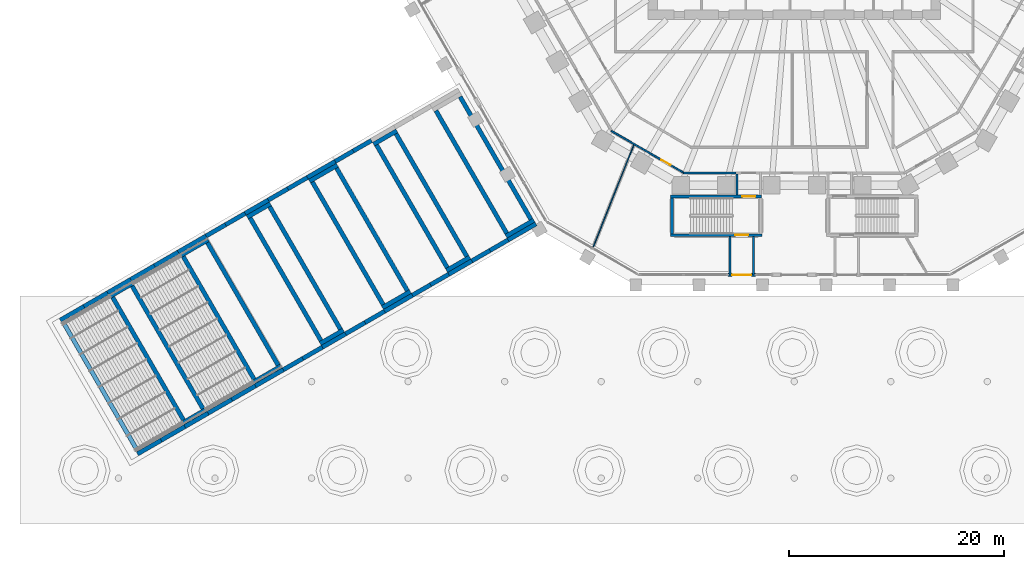
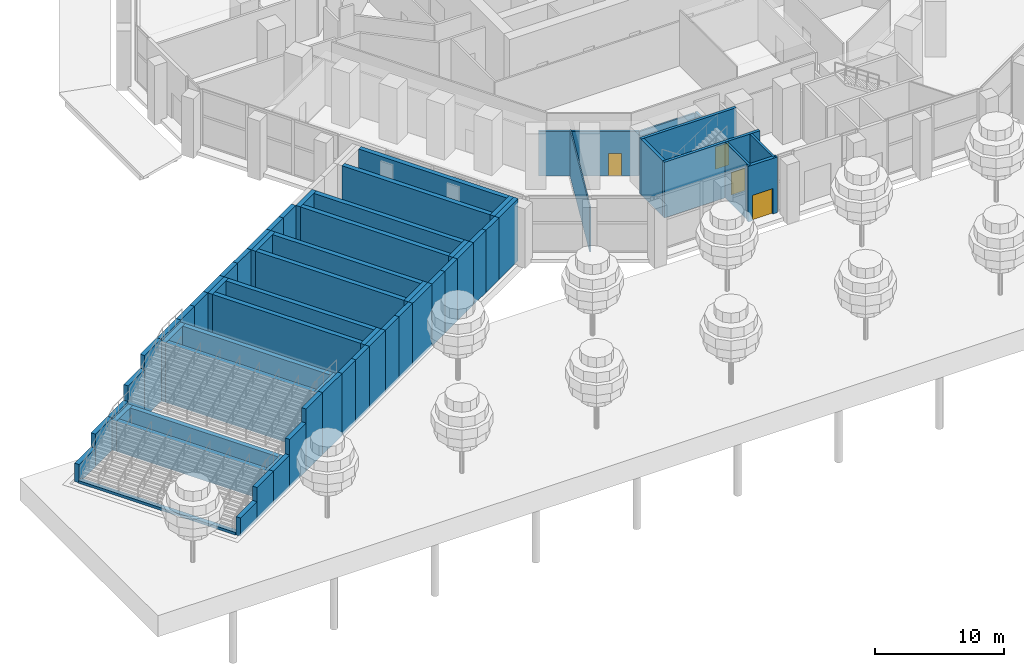
# One storey, part 16 of 44: 66 walls, 4 doors, 4 openings.
"""IFC4 building model written with IfcOpenShell, lengths in metres."""

from ifc_helpers import new_model, si_unit, direction, frame, frame_2d, origin, place, context, subcontext, project, spatial, rectangle, extrude, material, layer, layer_set, type_object, element, fill, save


model = new_model("IFC4")

# Units and contexts
model_context = context("Model", 3, precision=1e-05, world=origin(), true_north=direction((0.0, 1.0)))
body_context = subcontext(model_context, "Body", "Model", "MODEL_VIEW")
ifc_project = project(units=[si_unit("LENGTHUNIT", "METRE"), si_unit("AREAUNIT", "SQUARE_METRE"), si_unit("VOLUMEUNIT", "CUBIC_METRE"), si_unit("PLANEANGLEUNIT", "RADIAN"), si_unit("MASSUNIT", "GRAM", prefix="KILO")], contexts=[model_context])

# Site, building, storey
site_placement = place(None, origin())
site = spatial("IfcSite", under=ifc_project, at=site_placement, CompositionType="ELEMENT")
building_placement = place(site_placement, origin())
building = spatial("IfcBuilding", under=site, at=building_placement, Name="Frailejon Research Tower", CompositionType="ELEMENT")
storey_placement = place(building_placement, origin())
storey = spatial("IfcBuildingStorey", under=building, at=storey_placement, Name="L00", CompositionType="ELEMENT", Elevation=0.0)

# Wall, opening, door
ifc_material_1 = material(Name="Gypsum board and masonry partition", Category="masonry")
ifc_layer_1 = layer(ifc_material_1, 0.14990234375)
ifc_layer_set_1 = layer_set([ifc_layer_1], Name="Corridor wall EI 60, gypsum on steel studs 150")
wall_type_1 = type_object("IfcWallType", Name="Corridor wall EI 60, gypsum on steel studs 150", PredefinedType="PARTITIONING", material=ifc_layer_set_1)
wall_1_placement = place(storey_placement, frame((-17.055908203125, -21.633056640625, 0.0), z_axis=(0.0, 0.0, 1.0), x_axis=(0.866023143435, -0.50000391502, 0.0)))
wall_1 = element("IfcWall", 1, at=wall_1_placement, inside=storey, type_object=wall_type_1, Name="T:IW:L00:029", PredefinedType="PARTITIONING", context=body_context, shape_type="SweptSolid", body=[
    extrude(rectangle(XDim=7.7587890625, YDim=0.14990234375, at=frame_2d((3.87939453125, 0.0))), origin(), (0.0, 0.0, 1.0), 4.199951171875),
])
opening_1_placement = place(wall_1_placement, frame((5.3798828125, 0.0, 0.0)))
opening_1 = element("IfcOpeningElement", 2, at=opening_1_placement, cuts=wall_1, Name="Opening D1014", PredefinedType="OPENING", context=body_context, shape_type="SweptSolid", body=[
    extrude(rectangle(XDim=1.0, YDim=2.10009765625, at=frame_2d((0.5, 1.050048828125))), frame((0.0, 0.0849609375, 0.0), z_axis=(0.0, -1.0, 0.0), x_axis=(1.0, 0.0, 0.0)), (0.0, 0.0, 1.0), 0.169921875),
])
ifc_material_2 = material(Name="Timber door leaf", Category="wood")
door_type_1 = type_object("IfcDoorType", Name="Door single leaf, timber, steel frame 1000", OperationType="NOTDEFINED", PredefinedType="DOOR", material=ifc_material_2)
door_1_placement = place(opening_1_placement, origin())
door_1 = element("IfcDoor", 3, at=door_1_placement, inside=storey, type_object=door_type_1, Name="D1014", OperationType="SINGLE_SWING_RIGHT", OverallHeight=2.10009765625, OverallWidth=1.0, PredefinedType="DOOR", context=body_context, shape_type="SweptSolid", body=[
    extrude(rectangle(XDim=1.0, YDim=2.10009765625, at=frame_2d((0.5, 1.050048828125))), frame((0.0, 0.02490234375, 0.0), z_axis=(0.0, -1.0, 0.0), x_axis=(1.0, 0.0, 0.0)), (0.0, 0.0, 1.0), 0.050048828125),
])
fill(opening_1, door_1)

# Walls
wall_2_placement = place(storey_placement, frame((-10.3466796875, -25.550048828125, 0.0), z_axis=(0.0, 0.0, 1.0), x_axis=(1.0, 0.0, 0.0)))
element("IfcWall", 4, at=wall_2_placement, inside=storey, type_object=wall_type_1, Name="T:IW:L00:033", PredefinedType="PARTITIONING", context=body_context, shape_type="SweptSolid", body=[
    extrude(rectangle(XDim=4.914794921875, YDim=0.14990234375, at=frame_2d((2.45751953125, 0.0))), origin(), (0.0, 0.0, 1.0), 4.199951171875),
])
ifc_material_3 = material(Name="Gypsum board and masonry partition", Category="masonry")
ifc_layer_2 = layer(ifc_material_3, 0.199951171875)
ifc_layer_set_2 = layer_set([ifc_layer_2], Name="Enclosure wall EI 120, blockwork 200")
wall_type_2 = type_object("IfcWallType", Name="Enclosure wall EI 120, blockwork 200", PredefinedType="PARTITIONING", material=ifc_layer_set_2)
wall_3_placement = place(storey_placement, frame((-5.33203125, -27.625, 0.0), z_axis=(0.0, 0.0, 1.0), x_axis=(0.0, 1.0, 0.0)))
element("IfcWall", 5, at=wall_3_placement, inside=storey, type_object=wall_type_2, Name="T:IW:L00:050", PredefinedType="PARTITIONING", context=body_context, shape_type="SweptSolid", body=[
    extrude(rectangle(XDim=1.97509765625, YDim=0.199951171875, at=frame_2d((0.987548828125, 0.0))), origin(), (0.0, 0.0, 1.0), 4.35009765625),
])
for number, where, z_axis, x_axis, name in (
    (6, (-5.9970703125, -35.050048828125, 0.0), (0.0, 0.0, 1.0), (0.0, 1.0, 0.0), "T:IW:L00:073"),
    (7, (-3.797119140625, -35.050048828125, 0.0), (0.0, 0.0, 1.0), (0.0, 1.0, 0.0), "T:IW:L00:085"),
):
    element("IfcWall", number, at=place(storey_placement, frame(where, z_axis=z_axis, x_axis=x_axis)), inside=storey, type_object=wall_type_2, Name=name, PredefinedType="PARTITIONING", context=body_context, shape_type="SweptSolid", body=[
        extrude(rectangle(XDim=3.574951171875, YDim=0.199951171875, at=frame_2d((1.78759765625, 0.0))), origin(), (0.0, 0.0, 1.0), 5.25),
    ])
ifc_material_4 = material(Name="Gypsum board and masonry partition", Category="masonry")
ifc_layer_3 = layer(ifc_material_4, 0.10009765625)
ifc_layer_set_3 = layer_set([ifc_layer_3], Name="Partition, gypsum on steel studs 100")
wall_type_3 = type_object("IfcWallType", Name="Partition, gypsum on steel studs 100", PredefinedType="PARTITIONING", material=ifc_layer_set_3)
wall_4_placement = place(storey_placement, frame((-18.789794921875, -32.588623046875, 0.0), z_axis=(0.0, 0.0, 1.0), x_axis=(0.368760134438, 0.929524589911, 0.0)))
element("IfcWall", 8, at=wall_4_placement, inside=storey, type_object=wall_type_3, Name="T:IW:L00:097", PredefinedType="PARTITIONING", context=body_context, shape_type="SweptSolid", body=[
    extrude(rectangle(XDim=10.39111328125, YDim=0.10009765625, at=frame_2d((5.195556640625, 0.0))), origin(), (0.0, 0.0, 1.0), 4.35009765625),
])

# Wall, opening, door
ifc_material_5 = material(Name="Concrete C40/50 precast exit pier", Category="concrete")
ifc_layer_4 = layer(ifc_material_5, 0.300048828125)
ifc_layer_set_4 = layer_set([ifc_layer_4], Name="Podium exit wall 300")
wall_type_4 = type_object("IfcWallType", Name="Podium exit wall 300", PredefinedType="SOLIDWALL", material=ifc_layer_set_4)
wall_5_placement = place(storey_placement, frame((-6.197021484375, -35.050048828125, 0.0), z_axis=(0.0, 0.0, 1.0), x_axis=(1.0, 0.0, 0.0)))
wall_5 = element("IfcWall", 9, at=wall_5_placement, inside=storey, type_object=wall_type_4, Name="Exit pier L00", PredefinedType="SOLIDWALL", context=body_context, shape_type="SweptSolid", body=[
    extrude(rectangle(XDim=2.60009765625, YDim=0.300048828125, at=frame_2d((1.300048828125, 0.0))), origin(), (0.0, 0.0, 1.0), 5.25),
])
opening_2_placement = place(wall_5_placement, frame((2.199951171875, 0.0, 0.0), z_axis=(0.0, 0.0, 1.0), x_axis=(-1.0, 0.0, 0.0)))
opening_2 = element("IfcOpeningElement", 10, at=opening_2_placement, cuts=wall_5, Name="Opening FE-6", PredefinedType="OPENING", context=body_context, shape_type="SweptSolid", body=[
    extrude(rectangle(XDim=1.800048828125, YDim=2.39990234375, at=frame_2d((0.89990234375, 1.199951171875))), frame((0.0, 0.159912109375, 0.0), z_axis=(0.0, -1.0, 0.0), x_axis=(1.0, 0.0, 0.0)), (0.0, 0.0, 1.0), 0.320068359375),
])
ifc_material_6 = material(Name="Aluminium framed glazed door leaf", Category="aluminium")
door_type_2 = type_object("IfcDoorType", Name="Final exit door 1800x2400", OperationType="DOUBLE_DOOR_SINGLE_SWING", PredefinedType="DOOR", material=ifc_material_6)
door_2_placement = place(opening_2_placement, origin())
door_2 = element("IfcDoor", 11, at=door_2_placement, inside=storey, type_object=door_type_2, Name="Door FE-6", OperationType="DOUBLE_DOOR_SINGLE_SWING", OverallHeight=2.39990234375, OverallWidth=1.800048828125, PredefinedType="DOOR", context=body_context, shape_type="SweptSolid", body=[
    extrude(rectangle(XDim=1.800048828125, YDim=2.39990234375, at=frame_2d((0.89990234375, 1.199951171875))), frame((0.0, 0.02490234375, 0.0), z_axis=(0.0, -1.0, 0.0), x_axis=(1.0, 0.0, 0.0)), (0.0, 0.0, 1.0), 0.050048828125),
])
fill(opening_2, door_2)

# Wall
ifc_material_7 = material(Name="Concrete C50/60", Category="concrete")
ifc_layer_5 = layer(ifc_material_7, 0.25)
ifc_layer_set_5 = layer_set([ifc_layer_5], Name="Stair enclosure wall EI 120, Concrete C50/60 250")
wall_type_5 = type_object("IfcWallType", Name="Stair enclosure wall EI 120, Concrete C50/60 250", PredefinedType="SOLIDWALL", material=ifc_layer_set_5)
wall_6_placement = place(storey_placement, frame((-11.40185546875, -31.22509765625, 0.0), z_axis=(0.0, 0.0, 1.0), x_axis=(0.0, 1.0, 0.0)))
element("IfcWall", 12, at=wall_6_placement, inside=storey, type_object=wall_type_5, Name="T:IW:L00:102", PredefinedType="SOLIDWALL", context=body_context, shape_type="SweptSolid", body=[
    extrude(rectangle(XDim=3.35009765625, YDim=0.25, at=frame_2d((1.675048828125, 0.0))), origin(), (0.0, 0.0, 1.0), 5.25),
])

# Wall, opening, door
wall_7_placement = place(storey_placement, frame((-11.52685546875, -27.75, 0.0), z_axis=(0.0, 0.0, 1.0), x_axis=(1.0, 0.0, 0.0)))
wall_7 = element("IfcWall", 13, at=wall_7_placement, inside=storey, type_object=wall_type_5, Name="T:IW:L00:114", PredefinedType="SOLIDWALL", context=body_context, shape_type="SweptSolid", body=[
    extrude(rectangle(XDim=8.494873046875, YDim=0.25, at=frame_2d((4.24755859375, 0.0))), origin(), (0.0, 0.0, 1.0), 5.25),
])
opening_3_placement = place(wall_7_placement, frame((7.89501953125, 0.0, 0.0), z_axis=(0.0, 0.0, 1.0), x_axis=(-1.0, 0.0, 0.0)))
opening_3 = element("IfcOpeningElement", 14, at=opening_3_placement, cuts=wall_7, Name="Opening PSD08", PredefinedType="OPENING", context=body_context, shape_type="SweptSolid", body=[
    extrude(rectangle(XDim=1.199951171875, YDim=2.10009765625, at=frame_2d((0.60009765625, 1.050048828125))), frame((0.0, 0.135009765625, 0.0), z_axis=(0.0, -1.0, 0.0), x_axis=(1.0, 0.0, 0.0)), (0.0, 0.0, 1.0), 0.27001953125),
])
ifc_material_8 = material(Name="Steel door leaf", Category="steel")
door_type_3 = type_object("IfcDoorType", Name="Door exit passage, steel, fire rated 1200", OperationType="NOTDEFINED", PredefinedType="DOOR", material=ifc_material_8)
door_3_placement = place(opening_3_placement, origin())
door_3 = element("IfcDoor", 15, at=door_3_placement, inside=storey, type_object=door_type_3, Name="PSD08", OperationType="SINGLE_SWING_LEFT", OverallHeight=2.10009765625, OverallWidth=1.199951171875, PredefinedType="DOOR", context=body_context, shape_type="SweptSolid", body=[
    extrude(rectangle(XDim=1.199951171875, YDim=2.10009765625, at=frame_2d((0.60009765625, 1.050048828125))), frame((0.0, 0.02490234375, 0.0), z_axis=(0.0, -1.0, 0.0), x_axis=(1.0, 0.0, 0.0)), (0.0, 0.0, 1.0), 0.050048828125),
])
fill(opening_3, door_3)

wall_8_placement = place(storey_placement, frame((-11.52685546875, -31.35009765625, 0.0), z_axis=(0.0, 0.0, 1.0), x_axis=(1.0, 0.0, 0.0)))
wall_8 = element("IfcWall", 16, at=wall_8_placement, inside=storey, type_object=wall_type_5, Name="T:IW:L00:116", PredefinedType="SOLIDWALL", context=body_context, shape_type="SweptSolid", body=[
    extrude(rectangle(XDim=8.519775390625, YDim=0.25, at=frame_2d((4.259765625, 0.0))), origin(), (0.0, 0.0, 1.0), 5.25),
])
opening_4_placement = place(wall_8_placement, frame((7.22998046875, 0.0, 0.0), z_axis=(0.0, 0.0, 1.0), x_axis=(-1.0, 0.0, 0.0)))
opening_4 = element("IfcOpeningElement", 17, at=opening_4_placement, cuts=wall_8, Name="Opening PSD09", PredefinedType="OPENING", context=body_context, shape_type="SweptSolid", body=[
    extrude(rectangle(XDim=1.199951171875, YDim=2.10009765625, at=frame_2d((0.60009765625, 1.050048828125))), frame((0.0, 0.135009765625, 0.0), z_axis=(0.0, -1.0, 0.0), x_axis=(1.0, 0.0, 0.0)), (0.0, 0.0, 1.0), 0.27001953125),
])
door_4_placement = place(opening_4_placement, origin())
door_4 = element("IfcDoor", 18, at=door_4_placement, inside=storey, type_object=door_type_3, Name="PSD09", OperationType="SINGLE_SWING_RIGHT", OverallHeight=2.10009765625, OverallWidth=1.199951171875, PredefinedType="DOOR", context=body_context, shape_type="SweptSolid", body=[
    extrude(rectangle(XDim=1.199951171875, YDim=2.10009765625, at=frame_2d((0.60009765625, 1.050048828125))), frame((0.0, 0.02490234375, 0.0), z_axis=(0.0, -1.0, 0.0), x_axis=(1.0, 0.0, 0.0)), (0.0, 0.0, 1.0), 0.050048828125),
])
fill(opening_4, door_4)

# Walls
ifc_material_9 = material(Name="Concrete C35/45", Category="concrete")
ifc_layer_6 = layer(ifc_material_9, 0.39990234375)
ifc_layer_set_6 = layer_set([ifc_layer_6], Name="Stair foot wall 400")
wall_type_6 = type_object("IfcWallType", Name="Stair foot wall 400", PredefinedType="SOLIDWALL", material=ifc_layer_set_6)
wall_9_placement = place(storey_placement, frame((-68.199462890625, -39.375, -0.25), z_axis=(0.0, 0.0, 1.0), x_axis=(0.499995173006, -0.866028190633, 0.0)))
element("IfcWall", 19, at=wall_9_placement, inside=storey, type_object=wall_type_6, Name="Broad stair W foot wall", PredefinedType="SOLIDWALL", context=body_context, shape_type="SweptSolid", body=[
    extrude(rectangle(XDim=14.000244140625, YDim=0.39990234375, at=frame_2d((7.0, 0.0))), origin(), (0.0, 0.0, 1.0), 0.25),
])
ifc_material_10 = material(Name="Concrete C35/45", Category="concrete")
ifc_layer_7 = layer(ifc_material_10, 0.39990234375)
ifc_layer_set_7 = layer_set([ifc_layer_7], Name="Stair plinth wall 400")
wall_type_7 = type_object("IfcWallType", Name="Stair plinth wall 400", PredefinedType="SOLIDWALL", material=ifc_layer_set_7)
wall_10_placement = place(storey_placement, frame((-24.27685546875, -29.951171875, -0.25), z_axis=(0.0, 0.0, 1.0), x_axis=(-0.866031096941, -0.499990139034, 0.0)))
element("IfcWall", 20, at=wall_10_placement, inside=storey, type_object=wall_type_7, Name="Broad stair W plinth", PredefinedType="SOLIDWALL", context=body_context, shape_type="SweptSolid", body=[
    extrude(rectangle(XDim=3.0, YDim=0.39990234375, at=frame_2d((1.5, 0.0))), origin(), (0.0, 0.0, 1.0), 5.85009765625),
])
for number, where, z_axis, x_axis, name in (
    (21, (-31.150146484375, -18.4462890625, -0.25), (0.0, 0.0, 1.0), (0.500002094529, -0.866024194504, 0.0), "Broad stair W plinth"),
    (22, (-33.40185546875, -19.746337890625, -0.25), (0.0, 0.0, 1.0), (0.500002094529, -0.866024194504, 0.0), "Broad stair W plinth"),
):
    element("IfcWall", number, at=place(storey_placement, frame(where, z_axis=z_axis, x_axis=x_axis)), inside=storey, type_object=wall_type_7, Name=name, PredefinedType="SOLIDWALL", context=body_context, shape_type="SweptSolid", body=[
        extrude(rectangle(XDim=13.2001953125, YDim=0.39990234375, at=frame_2d((6.60009765625, 0.0))), origin(), (0.0, 0.0, 1.0), 5.85009765625),
    ])
for number, where, z_axis, x_axis, name in (
    (23, (-37.052490234375, -21.623291015625, -0.25), (0.0, 0.0, 1.0), (-0.866022959057, -0.500004234368, 0.0), "Broad stair W plinth"),
    (24, (-30.25244140625, -33.401123046875, -0.25), (0.0, 0.0, 1.0), (-0.866022959057, -0.500004234368, 0.0), "Broad stair W plinth"),
):
    element("IfcWall", number, at=place(storey_placement, frame(where, z_axis=z_axis, x_axis=x_axis)), inside=storey, type_object=wall_type_7, Name=name, PredefinedType="SOLIDWALL", context=body_context, shape_type="SweptSolid", body=[
        extrude(rectangle(XDim=2.5, YDim=0.39990234375, at=frame_2d((1.25, 0.0))), origin(), (0.0, 0.0, 1.0), 5.85009765625),
    ])
wall_11_placement = place(storey_placement, frame((-37.125732421875, -21.896484375, -0.25), z_axis=(0.0, 0.0, 1.0), x_axis=(0.500010103361, -0.866019570528, 0.0)))
element("IfcWall", 25, at=wall_11_placement, inside=storey, type_object=wall_type_7, Name="Broad stair W plinth", PredefinedType="SOLIDWALL", context=body_context, shape_type="SweptSolid", body=[
    extrude(rectangle(XDim=13.199951171875, YDim=0.39990234375, at=frame_2d((6.60009765625, 0.0))), origin(), (0.0, 0.0, 1.0), 5.85009765625),
])
wall_12_placement = place(storey_placement, frame((-38.9443359375, -22.9462890625, -0.25), z_axis=(0.0, 0.0, 1.0), x_axis=(0.500002094529, -0.866024194504, 0.0)))
element("IfcWall", 26, at=wall_12_placement, inside=storey, type_object=wall_type_7, Name="Broad stair W plinth", PredefinedType="SOLIDWALL", context=body_context, shape_type="SweptSolid", body=[
    extrude(rectangle(XDim=13.2001953125, YDim=0.39990234375, at=frame_2d((6.60009765625, 0.0))), origin(), (0.0, 0.0, 1.0), 5.85009765625),
])
for number, where, z_axis, x_axis, name in (
    (27, (-42.59521484375, -24.8232421875, -0.25), (0.0, 0.0, 1.0), (-0.866010750942, -0.50002537861, 0.0), "Broad stair W plinth"),
    (28, (-35.795166015625, -36.601318359375, -0.25), (0.0, 0.0, 1.0), (-0.866010750942, -0.50002537861, 0.0), "Broad stair W plinth"),
):
    element("IfcWall", number, at=place(storey_placement, frame(where, z_axis=z_axis, x_axis=x_axis)), inside=storey, type_object=wall_type_7, Name=name, PredefinedType="SOLIDWALL", context=body_context, shape_type="SweptSolid", body=[
        extrude(rectangle(XDim=2.999755859375, YDim=0.39990234375, at=frame_2d((1.5, 0.0))), origin(), (0.0, 0.0, 1.0), 5.85009765625),
    ])
wall_13_placement = place(storey_placement, frame((-42.668212890625, -25.096435546875, -0.25), z_axis=(0.0, 0.0, 1.0), x_axis=(0.499996231654, -0.866027579429, 0.0)))
element("IfcWall", 29, at=wall_13_placement, inside=storey, type_object=wall_type_7, Name="Broad stair W plinth", PredefinedType="SOLIDWALL", context=body_context, shape_type="SweptSolid", body=[
    extrude(rectangle(XDim=13.19970703125, YDim=0.39990234375, at=frame_2d((6.599853515625, 0.0))), origin(), (0.0, 0.0, 1.0), 5.85009765625),
])
wall_14_placement = place(storey_placement, frame((-44.919921875, -26.396484375, -0.25), z_axis=(0.0, 0.0, 1.0), x_axis=(0.500010103361, -0.866019570528, 0.0)))
element("IfcWall", 30, at=wall_14_placement, inside=storey, type_object=wall_type_7, Name="Broad stair W plinth", PredefinedType="SOLIDWALL", context=body_context, shape_type="SweptSolid", body=[
    extrude(rectangle(XDim=13.199951171875, YDim=0.39990234375, at=frame_2d((6.60009765625, 0.0))), origin(), (0.0, 0.0, 1.0), 5.85009765625),
])
wall_15_placement = place(storey_placement, frame((-48.830322265625, -28.423095703125, -0.25), z_axis=(0.0, 0.0, 1.0), x_axis=(-0.866047370643, -0.499961950354, 0.0)))
element("IfcWall", 31, at=wall_15_placement, inside=storey, type_object=wall_type_7, Name="Broad stair W plinth", PredefinedType="SOLIDWALL", context=body_context, shape_type="SweptSolid", body=[
    extrude(rectangle(XDim=2.500244140625, YDim=0.39990234375, at=frame_2d((1.25, 0.0))), origin(), (0.0, 0.0, 1.0), 5.85009765625),
])
wall_16_placement = place(storey_placement, frame((-42.030517578125, -40.201171875, -0.25), z_axis=(0.0, 0.0, 1.0), x_axis=(-0.866022959057, -0.500004234368, 0.0)))
element("IfcWall", 32, at=wall_16_placement, inside=storey, type_object=wall_type_7, Name="Broad stair W plinth", PredefinedType="SOLIDWALL", context=body_context, shape_type="SweptSolid", body=[
    extrude(rectangle(XDim=2.5, YDim=0.39990234375, at=frame_2d((1.25, 0.0))), origin(), (0.0, 0.0, 1.0), 5.85009765625),
])
wall_17_placement = place(storey_placement, frame((-48.903564453125, -28.6962890625, -0.25), z_axis=(0.0, 0.0, 1.0), x_axis=(0.499988222896, -0.866032203192, 0.0)))
element("IfcWall", 33, at=wall_17_placement, inside=storey, type_object=wall_type_7, Name="Broad stair W plinth", PredefinedType="SOLIDWALL", context=body_context, shape_type="SweptSolid", body=[
    extrude(rectangle(XDim=13.199951171875, YDim=0.39990234375, at=frame_2d((6.60009765625, 0.0))), origin(), (0.0, 0.0, 1.0), 5.85009765625),
])
wall_18_placement = place(storey_placement, frame((-50.722412109375, -29.746337890625, -0.25), z_axis=(0.0, 0.0, 1.0), x_axis=(0.500002094529, -0.866024194504, 0.0)))
element("IfcWall", 34, at=wall_18_placement, inside=storey, type_object=wall_type_7, Name="Broad stair W plinth", PredefinedType="SOLIDWALL", context=body_context, shape_type="SweptSolid", body=[
    extrude(rectangle(XDim=13.2001953125, YDim=0.39990234375, at=frame_2d((6.60009765625, 0.0))), origin(), (0.0, 0.0, 1.0), 5.85009765625),
])
for number, where, z_axis, x_axis, name in (
    (35, (-54.6328125, -31.773193359375, -0.25), (0.0, 0.0, 1.0), (-0.866031096941, -0.499990139034, 0.0), "Broad stair W plinth"),
    (36, (-47.832763671875, -43.55126953125, -0.25), (0.0, 0.0, 1.0), (-0.866031096941, -0.499990139034, 0.0), "Broad stair W plinth"),
):
    element("IfcWall", number, at=place(storey_placement, frame(where, z_axis=z_axis, x_axis=x_axis)), inside=storey, type_object=wall_type_7, Name=name, PredefinedType="SOLIDWALL", context=body_context, shape_type="SweptSolid", body=[
        extrude(rectangle(XDim=3.0, YDim=0.39990234375, at=frame_2d((1.5, 0.0))), origin(), (0.0, 0.0, 1.0), 5.64990234375),
    ])
for number, where, z_axis, x_axis, name in (
    (37, (-54.7060546875, -32.04638671875, -0.25), (0.0, 0.0, 1.0), (0.500010103361, -0.866019570528, 0.0), "Broad stair W plinth"),
    (38, (-56.957763671875, -33.346435546875, -0.25), (0.0, 0.0, 1.0), (0.500010103361, -0.866019570528, 0.0), "Broad stair W plinth"),
):
    element("IfcWall", number, at=place(storey_placement, frame(where, z_axis=z_axis, x_axis=x_axis)), inside=storey, type_object=wall_type_7, Name=name, PredefinedType="SOLIDWALL", context=body_context, shape_type="SweptSolid", body=[
        extrude(rectangle(XDim=13.199951171875, YDim=0.39990234375, at=frame_2d((6.60009765625, 0.0))), origin(), (0.0, 0.0, 1.0), 5.64990234375),
    ])
for number, where, z_axis, x_axis, name in (
    (39, (-61.647705078125, -35.8232421875, -0.25), (0.0, 0.0, 1.0), (-0.866022959057, -0.500004234368, 0.0), "Broad stair W plinth"),
    (40, (-54.84765625, -47.601318359375, -0.25), (0.0, 0.0, 1.0), (-0.866022959057, -0.500004234368, 0.0), "Broad stair W plinth"),
):
    element("IfcWall", number, at=place(storey_placement, frame(where, z_axis=z_axis, x_axis=x_axis)), inside=storey, type_object=wall_type_7, Name=name, PredefinedType="SOLIDWALL", context=body_context, shape_type="SweptSolid", body=[
        extrude(rectangle(XDim=2.5, YDim=0.39990234375, at=frame_2d((1.25, 0.0))), origin(), (0.0, 0.0, 1.0), 2.85009765625),
    ])
wall_19_placement = place(storey_placement, frame((-61.720703125, -36.096435546875, -0.25), z_axis=(0.0, 0.0, 1.0), x_axis=(0.499996231654, -0.866027579429, 0.0)))
element("IfcWall", 41, at=wall_19_placement, inside=storey, type_object=wall_type_7, Name="Broad stair W plinth", PredefinedType="SOLIDWALL", context=body_context, shape_type="SweptSolid", body=[
    extrude(rectangle(XDim=13.19970703125, YDim=0.39990234375, at=frame_2d((6.599853515625, 0.0))), origin(), (0.0, 0.0, 1.0), 2.85009765625),
])
wall_20_placement = place(storey_placement, frame((-63.53955078125, -37.146484375, -0.25), z_axis=(0.0, 0.0, 1.0), x_axis=(0.500010103361, -0.866019570528, 0.0)))
element("IfcWall", 42, at=wall_20_placement, inside=storey, type_object=wall_type_7, Name="Broad stair W plinth", PredefinedType="SOLIDWALL", context=body_context, shape_type="SweptSolid", body=[
    extrude(rectangle(XDim=13.199951171875, YDim=0.39990234375, at=frame_2d((6.60009765625, 0.0))), origin(), (0.0, 0.0, 1.0), 2.85009765625),
])
wall_21_placement = place(storey_placement, frame((-24.076904296875, -30.297607421875, -0.25), z_axis=(0.0, 0.0, 1.0), x_axis=(-0.866031096941, -0.499990139034, 0.0)))
element("IfcWall", 43, at=wall_21_placement, inside=storey, type_object=wall_type_7, Name="Broad stair W cheek wall", PredefinedType="SOLIDWALL", context=body_context, shape_type="SweptSolid", body=[
    extrude(rectangle(XDim=3.0, YDim=0.39990234375, at=frame_2d((1.5, 0.0))), origin(), (0.0, 0.0, 1.0), 5.85009765625),
])
for number, where, z_axis, x_axis, name in (
    (44, (-26.675048828125, -31.797607421875, -0.25), (0.0, 0.0, 1.0), (-0.866000020948, -0.500043961785, 0.0), "Broad stair W cheek wall"),
    (45, (-28.36376953125, -32.772705078125, -0.25), (0.0, 0.0, 1.0), (-0.866054235095, -0.49995005938, 0.0), "Broad stair W cheek wall"),
):
    element("IfcWall", number, at=place(storey_placement, frame(where, z_axis=z_axis, x_axis=x_axis)), inside=storey, type_object=wall_type_7, Name=name, PredefinedType="SOLIDWALL", context=body_context, shape_type="SweptSolid", body=[
        extrude(rectangle(XDim=1.949951171875, YDim=0.39990234375, at=frame_2d((0.97509765625, 0.0))), origin(), (0.0, 0.0, 1.0), 5.85009765625),
    ])
wall_22_placement = place(storey_placement, frame((-30.052490234375, -33.74755859375, -0.25), z_axis=(0.0, 0.0, 1.0), x_axis=(-0.866022959057, -0.500004234368, 0.0)))
element("IfcWall", 46, at=wall_22_placement, inside=storey, type_object=wall_type_7, Name="Broad stair W cheek wall", PredefinedType="SOLIDWALL", context=body_context, shape_type="SweptSolid", body=[
    extrude(rectangle(XDim=2.5, YDim=0.39990234375, at=frame_2d((1.25, 0.0))), origin(), (0.0, 0.0, 1.0), 5.85009765625),
])
for number, where, z_axis, x_axis, name in (
    (47, (-39.41748046875, -22.52685546875, -0.25), (0.0, 0.0, 1.0), (-0.866054235095, -0.49995005938, 0.0), "Broad stair W cheek wall"),
    (48, (-32.217529296875, -34.99755859375, -0.25), (0.0, 0.0, 1.0), (-0.866000020948, -0.500043961785, 0.0), "Broad stair W cheek wall"),
):
    element("IfcWall", number, at=place(storey_placement, frame(where, z_axis=z_axis, x_axis=x_axis)), inside=storey, type_object=wall_type_7, Name=name, PredefinedType="SOLIDWALL", context=body_context, shape_type="SweptSolid", body=[
        extrude(rectangle(XDim=1.949951171875, YDim=0.39990234375, at=frame_2d((0.97509765625, 0.0))), origin(), (0.0, 0.0, 1.0), 5.85009765625),
    ])
for number, where, z_axis, x_axis, name in (
    (49, (-41.106201171875, -23.501708984375, -0.25), (0.0, 0.0, 1.0), (-0.866031321059, -0.49998975084, 0.0), "Broad stair W cheek wall"),
    (50, (-33.90625, -35.97265625, -0.25), (0.0, 0.0, 1.0), (-0.866085525409, -0.49989585183, 0.0), "Broad stair W cheek wall"),
):
    element("IfcWall", number, at=place(storey_placement, frame(where, z_axis=z_axis, x_axis=x_axis)), inside=storey, type_object=wall_type_7, Name=name, PredefinedType="SOLIDWALL", context=body_context, shape_type="SweptSolid", body=[
        extrude(rectangle(XDim=1.9501953125, YDim=0.39990234375, at=frame_2d((0.97509765625, 0.0))), origin(), (0.0, 0.0, 1.0), 5.85009765625),
    ])
for number, where, z_axis, x_axis, name in (
    (51, (-42.795166015625, -24.476806640625, -0.25), (0.0, 0.0, 1.0), (-0.866010750942, -0.50002537861, 0.0), "Broad stair W cheek wall"),
    (52, (-35.59521484375, -36.947509765625, -0.25), (0.0, 0.0, 1.0), (-0.866010750942, -0.50002537861, 0.0), "Broad stair W cheek wall"),
):
    element("IfcWall", number, at=place(storey_placement, frame(where, z_axis=z_axis, x_axis=x_axis)), inside=storey, type_object=wall_type_7, Name=name, PredefinedType="SOLIDWALL", context=body_context, shape_type="SweptSolid", body=[
        extrude(rectangle(XDim=2.999755859375, YDim=0.39990234375, at=frame_2d((1.5, 0.0))), origin(), (0.0, 0.0, 1.0), 5.85009765625),
    ])
for number, where, z_axis, x_axis, name in (
    (53, (-45.39306640625, -25.976806640625, -0.25), (0.0, 0.0, 1.0), (-0.866038466041, -0.499977374825, 0.0), "Broad stair W cheek wall"),
    (54, (-38.193115234375, -38.447509765625, -0.25), (0.0, 0.0, 1.0), (-0.866009402589, -0.500027713859, 0.0), "Broad stair W cheek wall"),
    (55, (-47.2119140625, -27.02685546875, -0.25), (0.0, 0.0, 1.0), (-0.866009402589, -0.500027713859, 0.0), "Broad stair W cheek wall"),
    (56, (-40.01171875, -39.49755859375, -0.25), (0.0, 0.0, 1.0), (-0.866009402589, -0.500027713859, 0.0), "Broad stair W cheek wall"),
):
    element("IfcWall", number, at=place(storey_placement, frame(where, z_axis=z_axis, x_axis=x_axis)), inside=storey, type_object=wall_type_7, Name=name, PredefinedType="SOLIDWALL", context=body_context, shape_type="SweptSolid", body=[
        extrude(rectangle(XDim=2.10009765625, YDim=0.39990234375, at=frame_2d((1.050048828125, 0.0))), origin(), (0.0, 0.0, 1.0), 5.85009765625),
    ])
wall_23_placement = place(storey_placement, frame((-49.030517578125, -28.076904296875, -0.25), z_axis=(0.0, 0.0, 1.0), x_axis=(-0.866022959057, -0.500004234368, 0.0)))
element("IfcWall", 57, at=wall_23_placement, inside=storey, type_object=wall_type_7, Name="Broad stair W cheek wall", PredefinedType="SOLIDWALL", context=body_context, shape_type="SweptSolid", body=[
    extrude(rectangle(XDim=2.5, YDim=0.39990234375, at=frame_2d((1.25, 0.0))), origin(), (0.0, 0.0, 1.0), 5.85009765625),
])
wall_24_placement = place(storey_placement, frame((-41.830322265625, -40.547607421875, -0.25), z_axis=(0.0, 0.0, 1.0), x_axis=(-0.866047370643, -0.499961950354, 0.0)))
element("IfcWall", 58, at=wall_24_placement, inside=storey, type_object=wall_type_7, Name="Broad stair W cheek wall", PredefinedType="SOLIDWALL", context=body_context, shape_type="SweptSolid", body=[
    extrude(rectangle(XDim=2.500244140625, YDim=0.39990234375, at=frame_2d((1.25, 0.0))), origin(), (0.0, 0.0, 1.0), 5.85009765625),
])
wall_25_placement = place(storey_placement, frame((-51.195556640625, -29.326904296875, -0.25), z_axis=(0.0, 0.0, 1.0), x_axis=(-0.866059744384, -0.49994051562, 0.0)))
element("IfcWall", 59, at=wall_25_placement, inside=storey, type_object=wall_type_7, Name="Broad stair W cheek wall", PredefinedType="SOLIDWALL", context=body_context, shape_type="SweptSolid", body=[
    extrude(rectangle(XDim=2.099853515625, YDim=0.39990234375, at=frame_2d((1.0498046875, 0.0))), origin(), (0.0, 0.0, 1.0), 5.85009765625),
])
for number, where, z_axis, x_axis, name in (
    (60, (-43.99560546875, -41.797607421875, -0.25), (0.0, 0.0, 1.0), (-0.866009402589, -0.500027713859, 0.0), "Broad stair W cheek wall"),
    (61, (-53.01416015625, -30.376708984375, -0.25), (0.0, 0.0, 1.0), (-0.866009402589, -0.500027713859, 0.0), "Broad stair W cheek wall"),
    (62, (-45.814208984375, -42.84765625, -0.25), (0.0, 0.0, 1.0), (-0.866009402589, -0.500027713859, 0.0), "Broad stair W cheek wall"),
):
    element("IfcWall", number, at=place(storey_placement, frame(where, z_axis=z_axis, x_axis=x_axis)), inside=storey, type_object=wall_type_7, Name=name, PredefinedType="SOLIDWALL", context=body_context, shape_type="SweptSolid", body=[
        extrude(rectangle(XDim=2.10009765625, YDim=0.39990234375, at=frame_2d((1.050048828125, 0.0))), origin(), (0.0, 0.0, 1.0), 5.85009765625),
    ])
for number, where, z_axis, x_axis, name in (
    (63, (-54.832763671875, -31.4267578125, -0.25), (0.0, 0.0, 1.0), (-0.866031096941, -0.499990139034, 0.0), "Broad stair W cheek wall"),
    (64, (-47.6328125, -43.897705078125, -0.25), (0.0, 0.0, 1.0), (-0.866031096941, -0.499990139034, 0.0), "Broad stair W cheek wall"),
):
    element("IfcWall", number, at=place(storey_placement, frame(where, z_axis=z_axis, x_axis=x_axis)), inside=storey, type_object=wall_type_7, Name=name, PredefinedType="SOLIDWALL", context=body_context, shape_type="SweptSolid", body=[
        extrude(rectangle(XDim=3.0, YDim=0.39990234375, at=frame_2d((1.5, 0.0))), origin(), (0.0, 0.0, 1.0), 5.85009765625),
    ])
wall_26_placement = place(storey_placement, frame((-57.430908203125, -32.9267578125, -0.25), z_axis=(0.0, 0.0, 1.0), x_axis=(-0.865989465428, -0.500062241894, 0.0)))
element("IfcWall", 65, at=wall_26_placement, inside=storey, type_object=wall_type_7, Name="Broad stair W cheek wall", PredefinedType="SOLIDWALL", context=body_context, shape_type="SweptSolid", body=[
    extrude(rectangle(XDim=2.550048828125, YDim=0.39990234375, at=frame_2d((1.27490234375, 0.0))), origin(), (0.0, 0.0, 1.0), 5.85009765625),
])
wall_27_placement = place(storey_placement, frame((-50.23095703125, -45.397705078125, -0.25), z_axis=(0.0, 0.0, 1.0), x_axis=(-0.866030925526, -0.499990435942, 0.0)))
element("IfcWall", 66, at=wall_27_placement, inside=storey, type_object=wall_type_7, Name="Broad stair W cheek wall", PredefinedType="SOLIDWALL", context=body_context, shape_type="SweptSolid", body=[
    extrude(rectangle(XDim=2.5498046875, YDim=0.39990234375, at=frame_2d((1.27490234375, 0.0))), origin(), (0.0, 0.0, 1.0), 5.85009765625),
])
for number, where, z_axis, x_axis, name in (
    (67, (-59.63916015625, -34.201904296875, -0.25), (0.0, 0.0, 1.0), (-0.866054858364, -0.499948979701, 0.0), "Broad stair W cheek wall"),
    (68, (-52.439208984375, -46.672607421875, -0.25), (0.0, 0.0, 1.0), (-0.866054858364, -0.499948979701, 0.0), "Broad stair W cheek wall"),
):
    element("IfcWall", number, at=place(storey_placement, frame(where, z_axis=z_axis, x_axis=x_axis)), inside=storey, type_object=wall_type_7, Name=name, PredefinedType="SOLIDWALL", context=body_context, shape_type="SweptSolid", body=[
        extrude(rectangle(XDim=2.550048828125, YDim=0.39990234375, at=frame_2d((1.27490234375, 0.0))), origin(), (0.0, 0.0, 1.0), 4.52783203125),
    ])
for number, where, z_axis, x_axis, name in (
    (69, (-61.84765625, -35.476806640625, -0.25), (0.0, 0.0, 1.0), (-0.866022959057, -0.500004234368, 0.0), "Broad stair W cheek wall"),
    (70, (-54.647705078125, -47.947509765625, -0.25), (0.0, 0.0, 1.0), (-0.866022959057, -0.500004234368, 0.0), "Broad stair W cheek wall"),
):
    element("IfcWall", number, at=place(storey_placement, frame(where, z_axis=z_axis, x_axis=x_axis)), inside=storey, type_object=wall_type_7, Name=name, PredefinedType="SOLIDWALL", context=body_context, shape_type="SweptSolid", body=[
        extrude(rectangle(XDim=2.5, YDim=0.39990234375, at=frame_2d((1.25, 0.0))), origin(), (0.0, 0.0, 1.0), 3.050048828125),
    ])
wall_28_placement = place(storey_placement, frame((-64.0126953125, -36.726806640625, -0.25), z_axis=(0.0, 0.0, 1.0), x_axis=(-0.866030925526, -0.499990435942, 0.0)))
element("IfcWall", 71, at=wall_28_placement, inside=storey, type_object=wall_type_7, Name="Broad stair W cheek wall", PredefinedType="SOLIDWALL", context=body_context, shape_type="SweptSolid", body=[
    extrude(rectangle(XDim=2.5498046875, YDim=0.39990234375, at=frame_2d((1.27490234375, 0.0))), origin(), (0.0, 0.0, 1.0), 3.050048828125),
])
wall_29_placement = place(storey_placement, frame((-56.812744140625, -49.197509765625, -0.25), z_axis=(0.0, 0.0, 1.0), x_axis=(-0.865989465428, -0.500062241894, 0.0)))
element("IfcWall", 72, at=wall_29_placement, inside=storey, type_object=wall_type_7, Name="Broad stair W cheek wall", PredefinedType="SOLIDWALL", context=body_context, shape_type="SweptSolid", body=[
    extrude(rectangle(XDim=2.550048828125, YDim=0.39990234375, at=frame_2d((1.27490234375, 0.0))), origin(), (0.0, 0.0, 1.0), 3.050048828125),
])
wall_30_placement = place(storey_placement, frame((-66.220947265625, -38.001708984375, -0.25), z_axis=(0.0, 0.0, 1.0), x_axis=(-0.866013403995, -0.500020783669, 0.0)))
element("IfcWall", 73, at=wall_30_placement, inside=storey, type_object=wall_type_7, Name="Broad stair W cheek wall", PredefinedType="SOLIDWALL", context=body_context, shape_type="SweptSolid", body=[
    extrude(rectangle(XDim=2.55029296875, YDim=0.39990234375, at=frame_2d((1.275146484375, 0.0))), origin(), (0.0, 0.0, 1.0), 1.727783203125),
])
wall_31_placement = place(storey_placement, frame((-59.02099609375, -50.47265625, -0.25), z_axis=(0.0, 0.0, 1.0), x_axis=(-0.866054858364, -0.499948979701, 0.0)))
element("IfcWall", 74, at=wall_31_placement, inside=storey, type_object=wall_type_7, Name="Broad stair W cheek wall", PredefinedType="SOLIDWALL", context=body_context, shape_type="SweptSolid", body=[
    extrude(rectangle(XDim=2.550048828125, YDim=0.39990234375, at=frame_2d((1.27490234375, 0.0))), origin(), (0.0, 0.0, 1.0), 1.727783203125),
])

save(model, "model.ifc")
